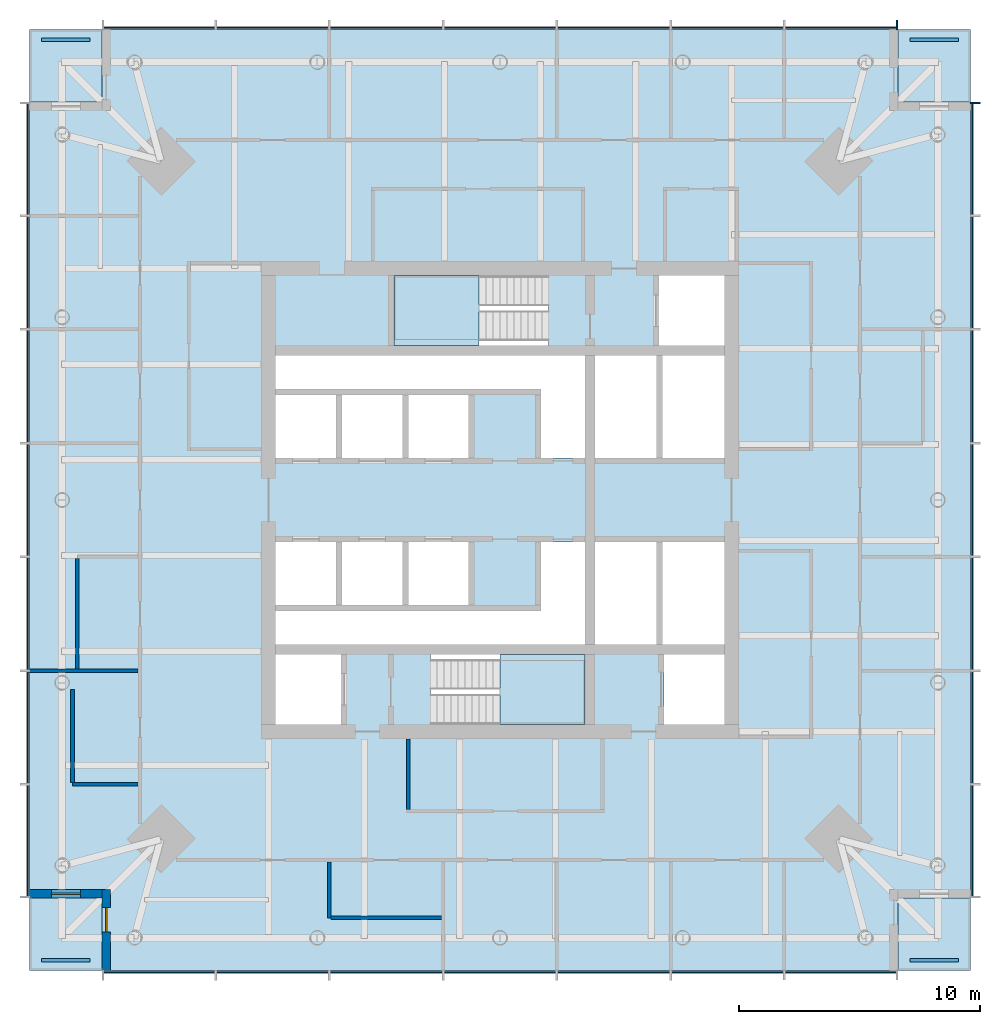
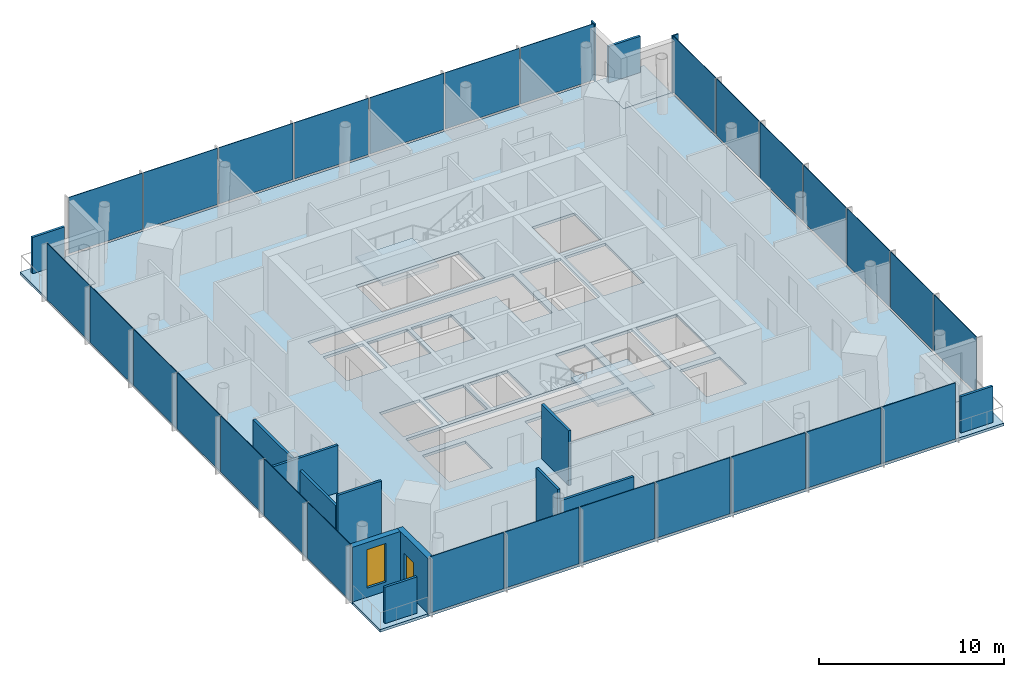
# One storey, part 3 of 7: 32 plates, 9 walls, 7 slabs, 2 members, 1 door, 1 window, 2 openings, 6 elements without a shape of their own.
"""IFC4 building model written with IfcOpenShell, lengths in metres."""

import ifcopenshell
import ifcopenshell.guid

model = None  # the IFC model being written
_history = None  # IfcOwnerHistory: only IFC2X3 demands one
_inside = {}  # id of a spatial element -> (the spatial element, [elements in it])
_under = {}  # id of a project, library or spatial element -> (it, [spatial elements below it])
_declared = {}  # id of a project -> (the project, [libraries it declares])
_typed = {}  # id of a type object -> (the type object, [elements of that type])
_made_of = {}  # id of a material, layer set ... -> (it, [elements and type objects made of it])


def new_model(schema):
    """Start an empty IFC model of exactly this schema.

    Asked for "IFC4X3", IfcOpenShell would pick the latest addendum, in which some entities
    have other attributes; the version numbers below select the first issue.
    IFC2X3 requires an IfcOwnerHistory on every rooted entity: one is made here for all.
    """
    global model, _history
    if schema == "IFC4X3":
        model = ifcopenshell.file(schema_version=(4, 3, 0, 0))
    else:
        model = ifcopenshell.file(schema=schema)
    _inside.clear()
    _under.clear()
    _declared.clear()
    _typed.clear()
    _made_of.clear()
    _history = None
    if model.schema == "IFC2X3":
        org = make("IfcOrganization", Name="unknown")
        user = make(
            "IfcPersonAndOrganization",
            ThePerson=make("IfcPerson", FamilyName="unknown"),
            TheOrganization=org,
        )
        app = make(
            "IfcApplication",
            ApplicationDeveloper=org,
            Version="unknown",
            ApplicationFullName="unknown",
            ApplicationIdentifier="unknown",
        )
        _history = make(
            "IfcOwnerHistory",
            OwningUser=user,
            OwningApplication=app,
            ChangeAction="ADDED",
            CreationDate=0,
        )
    return model


def make(cls, **values):
    """One entity of the class cls with the attributes given. An attribute that is None is left unset."""
    return model.create_entity(
        cls, **{name: value for name, value in values.items() if value is not None}
    )


def rooted(cls, **values):
    """An entity with a GlobalId (a new one), such as an element, a storey or a relation."""
    return make(cls, GlobalId=ifcopenshell.guid.new(), OwnerHistory=_history, **values)


def si_unit(unit_type, name, prefix=None):
    """IfcSIUnit, for example si_unit("LENGTHUNIT", "METRE", prefix="MILLI")."""
    return make("IfcSIUnit", UnitType=unit_type, Prefix=prefix, Name=name)


def assignment(units):
    """IfcUnitAssignment: the units of a project."""
    return None if units is None else make("IfcUnitAssignment", Units=units)


def point(xyz):
    """IfcCartesianPoint."""
    return None if xyz is None else make("IfcCartesianPoint", Coordinates=xyz)


def direction(xyz):
    """IfcDirection."""
    return None if xyz is None else make("IfcDirection", DirectionRatios=xyz)


def frame(location, z_axis=None, x_axis=None):
    """IfcAxis2Placement3D, a coordinate frame: its origin and axes. An axis left out is left unset."""
    return make(
        "IfcAxis2Placement3D",
        Location=point(location),
        Axis=direction(z_axis),
        RefDirection=direction(x_axis),
    )


def frame_2d(location, x_axis=None):
    """IfcAxis2Placement2D, a coordinate frame in the plane: its origin and x axis."""
    return make(
        "IfcAxis2Placement2D", Location=point(location), RefDirection=direction(x_axis)
    )


def origin():
    """The frame at (0, 0, 0) with its axes left unset."""
    return frame((0.0, 0.0, 0.0))


def origin_2d():
    """The frame at (0, 0) in the plane with its x axis left unset."""
    return frame_2d((0.0, 0.0))


def place(relative_to, where):
    """IfcLocalPlacement: puts the frame where relative to a parent placement (None: the world)."""
    return make(
        "IfcLocalPlacement", PlacementRelTo=relative_to, RelativePlacement=where
    )


def context(
    kind, dimensions, precision=None, world=None, true_north=None, identifier=None
):
    """IfcGeometricRepresentationContext, for example the 3D "Model" context."""
    return make(
        "IfcGeometricRepresentationContext",
        ContextIdentifier=identifier,
        ContextType=kind,
        CoordinateSpaceDimension=dimensions,
        Precision=precision,
        WorldCoordinateSystem=world,
        TrueNorth=true_north,
    )


def subcontext(parent, identifier, kind, view, scale=None):
    """IfcGeometricRepresentationSubContext, for example "Body" below "Model"."""
    return make(
        "IfcGeometricRepresentationSubContext",
        ContextIdentifier=identifier,
        ContextType=kind,
        ParentContext=parent,
        TargetScale=scale,
        TargetView=view,
    )


def project(units=None, contexts=None):
    """IfcProject with its units and contexts."""
    return rooted(
        "IfcProject",
        Name="project",
        RepresentationContexts=contexts,
        UnitsInContext=assignment(units),
    )


def spatial(cls, under=None, at=None, **own):
    """A site, building, storey or space (cls), placed at a placement, below another one or the project."""
    s = rooted(cls, ObjectPlacement=at, **own)
    if under is not None:
        _under.setdefault(under.id(), (under, []))[1].append(s)
    return s


def polyline(points):
    """IfcPolyline through the points."""
    return make("IfcPolyline", Points=[point(p) for p in points])


def profile(cls, at=None, kind="AREA", **sizes):
    """A parametric profile (cls). Its sizes go by their IFC names, for example OverallWidth=200.0."""
    return make(cls, ProfileType=kind, Position=at, **sizes)


def rectangle(**sizes):
    """IfcRectangleProfileDef."""
    return profile("IfcRectangleProfileDef", **sizes)


def outline(outer, holes=None, kind="AREA"):
    """IfcArbitraryClosedProfileDef: a profile drawn as a closed curve; with holes, ...WithVoids."""
    if holes is None:
        return make("IfcArbitraryClosedProfileDef", ProfileType=kind, OuterCurve=outer)
    return make(
        "IfcArbitraryProfileDefWithVoids",
        ProfileType=kind,
        OuterCurve=outer,
        InnerCurves=holes,
    )


def extrude(swept, where, along, depth):
    """IfcExtrudedAreaSolid: the profile swept, set in the frame where, extruded along a direction by depth."""
    return make(
        "IfcExtrudedAreaSolid",
        SweptArea=swept,
        Position=where,
        ExtrudedDirection=direction(along),
        Depth=depth,
    )


def shape(context_of_items, identifier, shape_type, items):
    """IfcShapeRepresentation: the items that make up one representation, for example the "Body"."""
    return make(
        "IfcShapeRepresentation",
        ContextOfItems=context_of_items,
        RepresentationIdentifier=identifier,
        RepresentationType=shape_type,
        Items=items,
    )


def material(Name=None, Category=None):
    """IfcMaterial."""
    return make("IfcMaterial", Name=Name, Category=Category)


def layer(
    of_material, thickness, ventilated=None, Name=None, Category=None, Priority=None
):
    """IfcMaterialLayer: one layer of a wall or slab, of a material (None: an air gap)."""
    return make(
        "IfcMaterialLayer",
        Material=of_material,
        LayerThickness=thickness,
        IsVentilated=ventilated,
        Name=Name,
        Category=Category,
        Priority=Priority,
    )


def layer_set(layers, Name=None):
    """IfcMaterialLayerSet."""
    return make("IfcMaterialLayerSet", MaterialLayers=layers, LayerSetName=Name)


def material_profile(
    of_material, cross_section, Name=None, Category=None, Priority=None
):
    """IfcMaterialProfile: a cross section and its material."""
    return make(
        "IfcMaterialProfile",
        Name=Name,
        Material=of_material,
        Profile=cross_section,
        Priority=Priority,
        Category=Category,
    )


def profile_set(profiles, Name=None, composite=None):
    """IfcMaterialProfileSet."""
    return make(
        "IfcMaterialProfileSet",
        Name=Name,
        MaterialProfiles=profiles,
        CompositeProfile=composite,
    )


def made_of(thing, what):
    """Note that an element or type object is made of a material, layer set ...; save() writes the relation."""
    if what is not None:
        _made_of.setdefault(what.id(), (what, []))[1].append(thing)
    return thing


def type_object(cls, material=None, **own):
    """A type object (cls), such as IfcWallType, which elements share."""
    return made_of(rooted(cls, **own), material)


def element(
    cls,
    number,
    at=None,
    inside=None,
    cuts=None,
    type_object=None,
    material=None,
    context=None,
    identifier="Body",
    shape_type=None,
    held_by="IfcProductDefinitionShape",
    body=None,
    shapes=None,
    **own,
):
    """One element of the class cls, such as IfcWall. Its Tag is "e" and its number.

    at: its placement. inside: the storey or other place that contains it. cuts: it is an
    opening in that element (IfcRelVoidsElement). A single representation is given by context,
    identifier, shape_type and body (its items); several are given by shapes. held_by: the class
    of the entity that holds the representations. save() writes the other relations.
    """
    e = rooted(cls, Tag="e%d" % number, ObjectPlacement=at, **own)
    if body is not None:
        shapes = [shape(context, identifier, shape_type, body)]
    if shapes is not None:
        e.Representation = make(held_by, Representations=shapes)
    if inside is not None:
        _inside.setdefault(inside.id(), (inside, []))[1].append(e)
    if cuts is not None:
        rooted(
            "IfcRelVoidsElement", RelatingBuildingElement=cuts, RelatedOpeningElement=e
        )
    if type_object is not None:
        _typed.setdefault(type_object.id(), (type_object, []))[1].append(e)
    return made_of(e, material)


def fill(opening, filler):
    """IfcRelFillsElement: the door or window that sits in an opening."""
    return rooted(
        "IfcRelFillsElement",
        RelatingOpeningElement=opening,
        RelatedBuildingElement=filler,
    )


def aggregate(whole, parts):
    """IfcRelAggregates: a whole, such as a stair, and the parts it consists of."""
    return rooted("IfcRelAggregates", RelatingObject=whole, RelatedObjects=parts)


def save(model, path):
    """Write the relations noted so far, then the file.

    IfcRelAggregates (storeys below a building ...), IfcRelContainedInSpatialStructure (elements
    in a storey), IfcRelDefinesByType, IfcRelAssociatesMaterial and IfcRelDeclares: one each for
    every whole, place, type object, material and project.
    """
    for whole, parts in _under.values():
        aggregate(whole, parts)
    for where, things in _inside.values():
        rooted(
            "IfcRelContainedInSpatialStructure",
            RelatedElements=things,
            RelatingStructure=where,
        )
    for kind, things in _typed.values():
        rooted("IfcRelDefinesByType", RelatedObjects=things, RelatingType=kind)
    for what, things in _made_of.values():
        rooted("IfcRelAssociatesMaterial", RelatedObjects=things, RelatingMaterial=what)
    for by, libraries in _declared.values():
        rooted("IfcRelDeclares", RelatingContext=by, RelatedDefinitions=libraries)
    model.write(path)


model = new_model("IFC4")

# Units and contexts
model_context = context("Model", 3, precision=1e-05, world=origin(), true_north=direction((0.0, 1.0)))
body_context = subcontext(model_context, "Body", "Model", "MODEL_VIEW")
ifc_project = project(units=[si_unit("LENGTHUNIT", "METRE"), si_unit("AREAUNIT", "SQUARE_METRE"), si_unit("VOLUMEUNIT", "CUBIC_METRE"), si_unit("PLANEANGLEUNIT", "RADIAN"), si_unit("MASSUNIT", "GRAM", prefix="KILO")], contexts=[model_context])

# Site, building, storey
site_placement = place(None, origin())
site = spatial("IfcSite", under=ifc_project, at=site_placement, CompositionType="ELEMENT")
building_placement = place(site_placement, origin())
building = spatial("IfcBuilding", under=site, at=building_placement, Name="Ostroluk Exchange", CompositionType="ELEMENT")
storey_placement = place(building_placement, frame((0.0, 0.0, 203.39990234375)))
storey = spatial("IfcBuildingStorey", under=building, at=storey_placement, Name="L52", CompositionType="ELEMENT", Elevation=203.39990234375)

# Curtain wall, member
ifc_material_1 = material(Name="Laminated clear glass", Category="glass")
curtain_wall_type = type_object("IfcCurtainWallType", Name="Office tower facade", PredefinedType="USERDEFINED", material=ifc_material_1)
curtain_wall_1_placement = place(storey_placement, origin())
curtain_wall_1 = element("IfcCurtainWall", 1, at=curtain_wall_1_placement, inside=storey, type_object=curtain_wall_type, Name="Office tower east facade L52", ObjectType="UNITISED CURTAIN WALL", PredefinedType="USERDEFINED")
ifc_material_2 = material(Name="Aluminium mullion with limestone facing", Category="masonry")
ifc_material_profile = material_profile(ifc_material_2, rectangle(XDim=0.39990234375, YDim=0.080078125, at=origin_2d()), Name="Tracery mullion 80 x 400")
ifc_profile_set = profile_set([ifc_material_profile], Name="Aluminium mullion with limestone facing")
member_type = type_object("IfcMemberType", Name="Tracery mullion 80 x 400", PredefinedType="MULLION", material=ifc_profile_set)
member_1_placement = place(storey_placement, frame((64.699951171875, 62.4599609375, 0.0), z_axis=(0.0, 0.0, 1.0), x_axis=(-1.0, 0.0, 0.0)))
member_1 = element("IfcMember", 2, at=member_1_placement, type_object=member_type, Name="CW-O1 mullion 8", PredefinedType="MULLION", context=body_context, shape_type="SweptSolid", body=[
    extrude(rectangle(XDim=0.39990234375, YDim=0.080078125, at=origin_2d()), origin(), (0.0, 0.0, 1.0), 3.800048828125),
])

curtain_wall_2_placement = place(storey_placement, origin())
curtain_wall_2 = element("IfcCurtainWall", 3, at=curtain_wall_2_placement, inside=storey, type_object=curtain_wall_type, Name="Office tower north facade L52", ObjectType="UNITISED CURTAIN WALL", PredefinedType="USERDEFINED")
member_2_placement = place(storey_placement, frame((61.4599609375, 65.699951171875, 0.0), z_axis=(0.0, 0.0, 1.0), x_axis=(0.0, -1.0, 0.0)))
member_2 = element("IfcMember", 4, at=member_2_placement, type_object=member_type, Name="CW-O1 mullion 1", PredefinedType="MULLION", context=body_context, shape_type="SweptSolid", body=[
    extrude(rectangle(XDim=0.39990234375, YDim=0.080078125, at=origin_2d()), origin(), (0.0, 0.0, 1.0), 3.800048828125),
])

# Slabs
ifc_material_3 = material(Name="Concrete C35/45", Category="concrete")
ifc_layer_1 = layer(ifc_material_3, 0.179931640625)
ifc_layer_set_1 = layer_set([ifc_layer_1], Name="Balcony slab 180")
slab_type_1 = type_object("IfcSlabType", Name="Balcony slab 180", PredefinedType="USERDEFINED", material=ifc_layer_set_1)
slab_1_placement = place(storey_placement, frame((0.0, 0.0, -0.179931640625)))
element("IfcSlab", 5, at=slab_1_placement, inside=storey, type_object=slab_type_1, Name="Office tower SE corner balcony L52", ObjectType="BALCONY", PredefinedType="USERDEFINED", context=body_context, shape_type="SweptSolid", body=[
    extrude(outline(polyline([(61.5, 26.5), (64.5, 26.5), (64.5, 29.5), (61.5, 29.5), (61.5, 26.5)])), origin(), (0.0, 0.0, 1.0), 0.179931640625),
])
slab_2_placement = place(storey_placement, frame((0.0, 0.0, -0.179931640625)))
element("IfcSlab", 6, at=slab_2_placement, inside=storey, type_object=slab_type_1, Name="Office tower NE corner balcony L52", ObjectType="BALCONY", PredefinedType="USERDEFINED", context=body_context, shape_type="SweptSolid", body=[
    extrude(outline(polyline([(61.5, 62.5), (64.5, 62.5), (64.5, 65.5), (61.5, 65.5), (61.5, 62.5)])), origin(), (0.0, 0.0, 1.0), 0.179931640625),
])
slab_3_placement = place(storey_placement, frame((0.0, 0.0, -0.179931640625)))
element("IfcSlab", 7, at=slab_3_placement, inside=storey, type_object=slab_type_1, Name="Office tower NW corner balcony L52", ObjectType="BALCONY", PredefinedType="USERDEFINED", context=body_context, shape_type="SweptSolid", body=[
    extrude(outline(polyline([(25.5, 62.5), (28.5, 62.5), (28.5, 65.5), (25.5, 65.5), (25.5, 62.5)])), origin(), (0.0, 0.0, 1.0), 0.179931640625),
])
slab_4_placement = place(storey_placement, frame((0.0, 0.0, -0.179931640625)))
element("IfcSlab", 8, at=slab_4_placement, inside=storey, type_object=slab_type_1, Name="Office tower SW corner balcony L52", ObjectType="BALCONY", PredefinedType="USERDEFINED", context=body_context, shape_type="SweptSolid", body=[
    extrude(outline(polyline([(25.5, 26.5), (28.5, 26.5), (28.5, 29.5), (25.5, 29.5), (25.5, 26.5)])), origin(), (0.0, 0.0, 1.0), 0.179931640625),
])

# Plates
ifc_material_4 = material(Name="Steel S355 trellis with planting", Category="steel")
ifc_layer_2 = layer(ifc_material_4, 0.14990234375)
ifc_layer_set_2 = layer_set([ifc_layer_2], Name="Planted screen 150")
plate_type_1 = type_object("IfcPlateType", Name="Planted screen 150", PredefinedType="USERDEFINED", material=ifc_layer_set_2)
for number, where, z_axis, x_axis, name in (
    (9, (63.0, 26.925048828125, 0.000244140625), (0.0, 0.0, 1.0), (1.0, 0.0, 0.0), "Office tower SE planted screen L52"),
    (10, (63.0, 65.074951171875, 0.000244140625), (0.0, 0.0, 1.0), (1.0, 0.0, 0.0), "Office tower NE planted screen L52"),
    (11, (27.0, 65.074951171875, 0.000244140625), (0.0, 0.0, 1.0), (1.0, 0.0, 0.0), "Office tower NW planted screen L52"),
    (12, (27.0, 26.925048828125, 0.000244140625), (0.0, 0.0, 1.0), (1.0, 0.0, 0.0), "Office tower SW planted screen L52"),
):
    element("IfcPlate", number, at=place(storey_placement, frame(where, z_axis=z_axis, x_axis=x_axis)), inside=storey, type_object=plate_type_1, Name=name, ObjectType="PLANTED SCREEN", PredefinedType="USERDEFINED", context=body_context, shape_type="SweptSolid", body=[
        extrude(rectangle(XDim=2.0, YDim=0.14990234375, at=origin_2d()), origin(), (0.0, 0.0, 1.0), 2.39990234375),
    ])

# Stair, slab
ifc_material_5 = material(Name="Concrete C30/37", Category="concrete")
stair_type = type_object("IfcStairType", Name="Exit stair half turn 3800", PredefinedType="HALF_TURN_STAIR", material=ifc_material_5)
stair_1_placement = place(storey_placement, origin())
stair_1 = element("IfcStair", 13, at=stair_1_placement, inside=storey, type_object=stair_type, Name="Stair T1-S1 L52", PredefinedType="HALF_TURN_STAIR")
ifc_material_6 = material(Name="Concrete C30/37", Category="concrete")
ifc_layer_3 = layer(ifc_material_6, 0.199951171875)
ifc_layer_set_3 = layer_set([ifc_layer_3], Name="Stair landing 200")
slab_type_2 = type_object("IfcSlabType", Name="Stair landing 200", PredefinedType="LANDING", material=ifc_layer_set_3)
slab_5_placement = place(storey_placement, frame((0.0, 0.0, 1.7001953125)))
slab_5 = element("IfcSlab", 14, at=slab_5_placement, type_object=slab_type_2, Name="T1-S1 landing 1", PredefinedType="LANDING", context=body_context, shape_type="SweptSolid", body=[
    extrude(outline(polyline([(45.0, 36.699951171875), (45.0, 39.60009765625), (48.530029296875, 39.60009765625), (48.530029296875, 36.699951171875), (45.0, 36.699951171875)])), origin(), (0.0, 0.0, 1.0), 0.199951171875),
])
aggregate(stair_1, [slab_5])

stair_2_placement = place(storey_placement, origin())
stair_2 = element("IfcStair", 15, at=stair_2_placement, inside=storey, type_object=stair_type, Name="Stair T1-S2 L52", PredefinedType="HALF_TURN_STAIR")
slab_6_placement = place(storey_placement, frame((0.0, 0.0, 1.7001953125)))
slab_6 = element("IfcSlab", 16, at=slab_6_placement, type_object=slab_type_2, Name="T1-S2 landing 1", PredefinedType="LANDING", context=body_context, shape_type="SweptSolid", body=[
    extrude(outline(polyline([(44.1298828125, 52.39990234375), (44.1298828125, 55.300048828125), (40.60009765625, 55.300048828125), (40.60009765625, 52.39990234375), (44.1298828125, 52.39990234375)])), origin(), (0.0, 0.0, 1.0), 0.199951171875),
])
aggregate(stair_2, [slab_6])

# Slab
ifc_material_7 = material(Name="Concrete C35/45", Category="concrete")
ifc_layer_4 = layer(ifc_material_7, 0.179931640625)
ifc_layer_set_4 = layer_set([ifc_layer_4], Name="Tower floor slab 180 composite")
slab_type_3 = type_object("IfcSlabType", Name="Tower floor slab 180 composite", PredefinedType="FLOOR", material=ifc_layer_set_4)
slab_7_placement = place(storey_placement, frame((0.0, 0.0, -0.179931640625)))
element("IfcSlab", 17, at=slab_7_placement, inside=storey, type_object=slab_type_3, Name="Office tower floor slab L52", PredefinedType="FLOOR", context=body_context, shape_type="SweptSolid", body=[
    extrude(outline(polyline([(28.5, 26.5), (61.5, 26.5), (61.5, 29.5), (64.5, 29.5), (64.5, 62.5), (61.5, 62.5), (61.5, 65.5), (28.5, 65.5), (28.5, 62.5), (25.5, 62.5), (25.5, 29.5), (28.5, 29.5), (28.5, 26.5)]), holes=[polyline([(35.699951171875, 36.699951171875), (38.39990234375, 36.699951171875), (38.39990234375, 39.60009765625), (35.699951171875, 39.60009765625), (35.699951171875, 36.699951171875)]), polyline([(42.110107421875, 36.699951171875), (48.530029296875, 36.699951171875), (48.530029296875, 39.60009765625), (42.110107421875, 39.60009765625), (42.110107421875, 36.699951171875)]), polyline([(51.800048828125, 36.699951171875), (54.300048828125, 36.699951171875), (54.300048828125, 39.60009765625), (51.800048828125, 39.60009765625), (51.800048828125, 36.699951171875)]), polyline([(40.60009765625, 52.39990234375), (47.02001953125, 52.39990234375), (47.02001953125, 55.300048828125), (40.60009765625, 55.300048828125), (40.60009765625, 52.39990234375)]), polyline([(51.60009765625, 52.39990234375), (54.300048828125, 52.39990234375), (54.300048828125, 55.300048828125), (51.60009765625, 55.300048828125), (51.60009765625, 52.39990234375)]), polyline([(35.699951171875, 47.75), (38.199951171875, 47.75), (38.199951171875, 50.35009765625), (35.699951171875, 50.35009765625), (35.699951171875, 47.75)]), polyline([(38.449951171875, 47.75), (40.949951171875, 47.75), (40.949951171875, 50.35009765625), (38.449951171875, 50.35009765625), (38.449951171875, 47.75)]), polyline([(41.199951171875, 47.75), (43.699951171875, 47.75), (43.699951171875, 50.35009765625), (41.199951171875, 50.35009765625), (41.199951171875, 47.75)]), polyline([(35.699951171875, 41.64990234375), (38.199951171875, 41.64990234375), (38.199951171875, 44.25), (35.699951171875, 44.25), (35.699951171875, 41.64990234375)]), polyline([(38.449951171875, 41.64990234375), (40.949951171875, 41.64990234375), (40.949951171875, 44.25), (38.449951171875, 44.25), (38.449951171875, 41.64990234375)]), polyline([(41.199951171875, 41.64990234375), (43.699951171875, 41.64990234375), (43.699951171875, 44.25), (41.199951171875, 44.25), (41.199951171875, 41.64990234375)]), polyline([(48.929931640625, 47.75), (51.489990234375, 47.75), (51.489990234375, 52.0), (48.929931640625, 52.0), (48.929931640625, 47.75)]), polyline([(51.739990234375, 47.75), (54.300048828125, 47.75), (54.300048828125, 52.0), (51.739990234375, 52.0), (51.739990234375, 47.75)]), polyline([(48.929931640625, 40.0), (51.489990234375, 40.0), (51.489990234375, 44.25), (48.929931640625, 44.25), (48.929931640625, 40.0)]), polyline([(51.739990234375, 40.0), (54.300048828125, 40.0), (54.300048828125, 44.25), (51.739990234375, 44.25), (51.739990234375, 40.0)]), polyline([(48.530029296875, 52.0), (48.530029296875, 47.75), (46.699951171875, 47.75), (46.699951171875, 50.60009765625), (35.699951171875, 50.60009765625), (35.699951171875, 52.0), (48.530029296875, 52.0)]), polyline([(35.699951171875, 40.0), (35.699951171875, 41.39990234375), (46.699951171875, 41.39990234375), (46.699951171875, 44.25), (48.530029296875, 44.25), (48.530029296875, 40.0), (35.699951171875, 40.0)])]), origin(), (0.0, 0.0, 1.0), 0.179931640625),
])

# Curtain wall, plates
curtain_wall_3_placement = place(storey_placement, origin())
curtain_wall_3 = element("IfcCurtainWall", 18, at=curtain_wall_3_placement, inside=storey, type_object=curtain_wall_type, Name="Office tower south facade L52", ObjectType="UNITISED CURTAIN WALL", PredefinedType="USERDEFINED")
ifc_material_8 = material(Name="Laminated clear glass", Category="glass")
ifc_layer_5 = layer(ifc_material_8, 0.0439453125)
ifc_layer_set_5 = layer_set([ifc_layer_5], Name="Triple laminated clear glazing 44")
plate_type_2 = type_object("IfcPlateType", Name="Triple laminated clear glazing 44", PredefinedType="CURTAIN_PANEL", material=ifc_layer_set_5)
plate_1_placement = place(storey_placement, frame((30.877197265625, 26.425048828125, 0.080078125), z_axis=(0.0, 0.0, 1.0), x_axis=(1.0, 0.0, 0.0)))
plate_1 = element("IfcPlate", 19, at=plate_1_placement, type_object=plate_type_2, Name="CW-O1 panel 1.1", PredefinedType="CURTAIN_PANEL", context=body_context, shape_type="SweptSolid", body=[
    extrude(rectangle(XDim=4.59423828125, YDim=0.0439453125, at=origin_2d()), origin(), (0.0, 0.0, 1.0), 3.719970703125),
])
plate_2_placement = place(storey_placement, frame((35.571533203125, 26.425048828125, 0.080078125), z_axis=(0.0, 0.0, 1.0), x_axis=(1.0, 0.0, 0.0)))
plate_2 = element("IfcPlate", 20, at=plate_2_placement, type_object=plate_type_2, Name="CW-O1 panel 2.1", PredefinedType="CURTAIN_PANEL", context=body_context, shape_type="SweptSolid", body=[
    extrude(rectangle(XDim=4.63427734375, YDim=0.0439453125, at=origin_2d()), origin(), (0.0, 0.0, 1.0), 3.719970703125),
])
plate_3_placement = place(storey_placement, frame((40.28564453125, 26.425048828125, 0.080078125), z_axis=(0.0, 0.0, 1.0), x_axis=(1.0, 0.0, 0.0)))
plate_3 = element("IfcPlate", 21, at=plate_3_placement, type_object=plate_type_2, Name="CW-O1 panel 3.1", PredefinedType="CURTAIN_PANEL", context=body_context, shape_type="SweptSolid", body=[
    extrude(rectangle(XDim=4.63427734375, YDim=0.0439453125, at=origin_2d()), origin(), (0.0, 0.0, 1.0), 3.719970703125),
])
plate_4_placement = place(storey_placement, frame((45.0, 26.425048828125, 0.080078125), z_axis=(0.0, 0.0, 1.0), x_axis=(1.0, 0.0, 0.0)))
plate_4 = element("IfcPlate", 22, at=plate_4_placement, type_object=plate_type_2, Name="CW-O1 panel 4.1", PredefinedType="CURTAIN_PANEL", context=body_context, shape_type="SweptSolid", body=[
    extrude(rectangle(XDim=4.63427734375, YDim=0.0439453125, at=origin_2d()), origin(), (0.0, 0.0, 1.0), 3.719970703125),
])
plate_5_placement = place(storey_placement, frame((49.71435546875, 26.425048828125, 0.080078125), z_axis=(0.0, 0.0, 1.0), x_axis=(1.0, 0.0, 0.0)))
plate_5 = element("IfcPlate", 23, at=plate_5_placement, type_object=plate_type_2, Name="CW-O1 panel 5.1", PredefinedType="CURTAIN_PANEL", context=body_context, shape_type="SweptSolid", body=[
    extrude(rectangle(XDim=4.63427734375, YDim=0.0439453125, at=origin_2d()), origin(), (0.0, 0.0, 1.0), 3.719970703125),
])
plate_6_placement = place(storey_placement, frame((54.428466796875, 26.425048828125, 0.080078125), z_axis=(0.0, 0.0, 1.0), x_axis=(1.0, 0.0, 0.0)))
plate_6 = element("IfcPlate", 24, at=plate_6_placement, type_object=plate_type_2, Name="CW-O1 panel 6.1", PredefinedType="CURTAIN_PANEL", context=body_context, shape_type="SweptSolid", body=[
    extrude(rectangle(XDim=4.63427734375, YDim=0.0439453125, at=origin_2d()), origin(), (0.0, 0.0, 1.0), 3.719970703125),
])
plate_7_placement = place(storey_placement, frame((59.122802734375, 26.425048828125, 0.080078125), z_axis=(0.0, 0.0, 1.0), x_axis=(1.0, 0.0, 0.0)))
plate_7 = element("IfcPlate", 25, at=plate_7_placement, type_object=plate_type_2, Name="CW-O1 panel 7.1", PredefinedType="CURTAIN_PANEL", context=body_context, shape_type="SweptSolid", body=[
    extrude(rectangle(XDim=4.59423828125, YDim=0.0439453125, at=origin_2d()), origin(), (0.0, 0.0, 1.0), 3.719970703125),
])
aggregate(curtain_wall_3, [plate_1, plate_2, plate_3, plate_4, plate_5, plate_6, plate_7])

# Plate
plate_8_placement = place(storey_placement, frame((64.574951171875, 31.877197265625, 0.080078125), z_axis=(0.0, 0.0, 1.0), x_axis=(0.0, 1.0, 0.0)))
plate_8 = element("IfcPlate", 26, at=plate_8_placement, type_object=plate_type_2, Name="CW-O1 panel 1.1", PredefinedType="CURTAIN_PANEL", context=body_context, shape_type="SweptSolid", body=[
    extrude(rectangle(XDim=4.59423828125, YDim=0.0439453125, at=origin_2d()), origin(), (0.0, 0.0, 1.0), 3.719970703125),
])

plate_9_placement = place(storey_placement, frame((64.574951171875, 36.571533203125, 0.080078125), z_axis=(0.0, 0.0, 1.0), x_axis=(0.0, 1.0, 0.0)))
plate_9 = element("IfcPlate", 27, at=plate_9_placement, type_object=plate_type_2, Name="CW-O1 panel 2.1", PredefinedType="CURTAIN_PANEL", context=body_context, shape_type="SweptSolid", body=[
    extrude(rectangle(XDim=4.63427734375, YDim=0.0439453125, at=origin_2d()), origin(), (0.0, 0.0, 1.0), 3.719970703125),
])

plate_10_placement = place(storey_placement, frame((64.574951171875, 41.28564453125, 0.080078125), z_axis=(0.0, 0.0, 1.0), x_axis=(0.0, 1.0, 0.0)))
plate_10 = element("IfcPlate", 28, at=plate_10_placement, type_object=plate_type_2, Name="CW-O1 panel 3.1", PredefinedType="CURTAIN_PANEL", context=body_context, shape_type="SweptSolid", body=[
    extrude(rectangle(XDim=4.63427734375, YDim=0.0439453125, at=origin_2d()), origin(), (0.0, 0.0, 1.0), 3.719970703125),
])

plate_11_placement = place(storey_placement, frame((64.574951171875, 46.0, 0.080078125), z_axis=(0.0, 0.0, 1.0), x_axis=(0.0, 1.0, 0.0)))
plate_11 = element("IfcPlate", 29, at=plate_11_placement, type_object=plate_type_2, Name="CW-O1 panel 4.1", PredefinedType="CURTAIN_PANEL", context=body_context, shape_type="SweptSolid", body=[
    extrude(rectangle(XDim=4.63427734375, YDim=0.0439453125, at=origin_2d()), origin(), (0.0, 0.0, 1.0), 3.719970703125),
])

plate_12_placement = place(storey_placement, frame((64.574951171875, 50.71435546875, 0.080078125), z_axis=(0.0, 0.0, 1.0), x_axis=(0.0, 1.0, 0.0)))
plate_12 = element("IfcPlate", 30, at=plate_12_placement, type_object=plate_type_2, Name="CW-O1 panel 5.1", PredefinedType="CURTAIN_PANEL", context=body_context, shape_type="SweptSolid", body=[
    extrude(rectangle(XDim=4.63427734375, YDim=0.0439453125, at=origin_2d()), origin(), (0.0, 0.0, 1.0), 3.719970703125),
])

plate_13_placement = place(storey_placement, frame((64.574951171875, 55.428466796875, 0.080078125), z_axis=(0.0, 0.0, 1.0), x_axis=(0.0, 1.0, 0.0)))
plate_13 = element("IfcPlate", 31, at=plate_13_placement, type_object=plate_type_2, Name="CW-O1 panel 6.1", PredefinedType="CURTAIN_PANEL", context=body_context, shape_type="SweptSolid", body=[
    extrude(rectangle(XDim=4.63427734375, YDim=0.0439453125, at=origin_2d()), origin(), (0.0, 0.0, 1.0), 3.719970703125),
])

plate_14_placement = place(storey_placement, frame((64.574951171875, 60.122802734375, 0.080078125), z_axis=(0.0, 0.0, 1.0), x_axis=(0.0, 1.0, 0.0)))
plate_14 = element("IfcPlate", 32, at=plate_14_placement, type_object=plate_type_2, Name="CW-O1 panel 7.1", PredefinedType="CURTAIN_PANEL", context=body_context, shape_type="SweptSolid", body=[
    extrude(rectangle(XDim=4.59423828125, YDim=0.0439453125, at=origin_2d()), origin(), (0.0, 0.0, 1.0), 3.719970703125),
])

aggregate(curtain_wall_1, [member_1, plate_8, plate_9, plate_10, plate_11, plate_12, plate_13, plate_14])

plate_15_placement = place(storey_placement, frame((59.122802734375, 65.574951171875, 0.080078125), z_axis=(0.0, 0.0, 1.0), x_axis=(-1.0, 0.0, 0.0)))
plate_15 = element("IfcPlate", 33, at=plate_15_placement, type_object=plate_type_2, Name="CW-O1 panel 1.1", PredefinedType="CURTAIN_PANEL", context=body_context, shape_type="SweptSolid", body=[
    extrude(rectangle(XDim=4.59423828125, YDim=0.0439453125, at=origin_2d()), origin(), (0.0, 0.0, 1.0), 3.719970703125),
])

plate_16_placement = place(storey_placement, frame((54.428466796875, 65.574951171875, 0.080078125), z_axis=(0.0, 0.0, 1.0), x_axis=(-1.0, 0.0, 0.0)))
plate_16 = element("IfcPlate", 34, at=plate_16_placement, type_object=plate_type_2, Name="CW-O1 panel 2.1", PredefinedType="CURTAIN_PANEL", context=body_context, shape_type="SweptSolid", body=[
    extrude(rectangle(XDim=4.63427734375, YDim=0.0439453125, at=origin_2d()), origin(), (0.0, 0.0, 1.0), 3.719970703125),
])

plate_17_placement = place(storey_placement, frame((49.71435546875, 65.574951171875, 0.080078125), z_axis=(0.0, 0.0, 1.0), x_axis=(-1.0, 0.0, 0.0)))
plate_17 = element("IfcPlate", 35, at=plate_17_placement, type_object=plate_type_2, Name="CW-O1 panel 3.1", PredefinedType="CURTAIN_PANEL", context=body_context, shape_type="SweptSolid", body=[
    extrude(rectangle(XDim=4.63427734375, YDim=0.0439453125, at=origin_2d()), origin(), (0.0, 0.0, 1.0), 3.719970703125),
])

plate_18_placement = place(storey_placement, frame((45.0, 65.574951171875, 0.080078125), z_axis=(0.0, 0.0, 1.0), x_axis=(-1.0, 0.0, 0.0)))
plate_18 = element("IfcPlate", 36, at=plate_18_placement, type_object=plate_type_2, Name="CW-O1 panel 4.1", PredefinedType="CURTAIN_PANEL", context=body_context, shape_type="SweptSolid", body=[
    extrude(rectangle(XDim=4.63427734375, YDim=0.0439453125, at=origin_2d()), origin(), (0.0, 0.0, 1.0), 3.719970703125),
])

plate_19_placement = place(storey_placement, frame((40.28564453125, 65.574951171875, 0.080078125), z_axis=(0.0, 0.0, 1.0), x_axis=(-1.0, 0.0, 0.0)))
plate_19 = element("IfcPlate", 37, at=plate_19_placement, type_object=plate_type_2, Name="CW-O1 panel 5.1", PredefinedType="CURTAIN_PANEL", context=body_context, shape_type="SweptSolid", body=[
    extrude(rectangle(XDim=4.63427734375, YDim=0.0439453125, at=origin_2d()), origin(), (0.0, 0.0, 1.0), 3.719970703125),
])

plate_20_placement = place(storey_placement, frame((35.571533203125, 65.574951171875, 0.080078125), z_axis=(0.0, 0.0, 1.0), x_axis=(-1.0, 0.0, 0.0)))
plate_20 = element("IfcPlate", 38, at=plate_20_placement, type_object=plate_type_2, Name="CW-O1 panel 6.1", PredefinedType="CURTAIN_PANEL", context=body_context, shape_type="SweptSolid", body=[
    extrude(rectangle(XDim=4.63427734375, YDim=0.0439453125, at=origin_2d()), origin(), (0.0, 0.0, 1.0), 3.719970703125),
])

plate_21_placement = place(storey_placement, frame((30.877197265625, 65.574951171875, 0.080078125), z_axis=(0.0, 0.0, 1.0), x_axis=(-1.0, 0.0, 0.0)))
plate_21 = element("IfcPlate", 39, at=plate_21_placement, type_object=plate_type_2, Name="CW-O1 panel 7.1", PredefinedType="CURTAIN_PANEL", context=body_context, shape_type="SweptSolid", body=[
    extrude(rectangle(XDim=4.59423828125, YDim=0.0439453125, at=origin_2d()), origin(), (0.0, 0.0, 1.0), 3.719970703125),
])

aggregate(curtain_wall_2, [member_2, plate_15, plate_16, plate_17, plate_18, plate_19, plate_20, plate_21])

# Curtain wall, plates
curtain_wall_4_placement = place(storey_placement, origin())
curtain_wall_4 = element("IfcCurtainWall", 40, at=curtain_wall_4_placement, inside=storey, type_object=curtain_wall_type, Name="Office tower west facade L52", ObjectType="UNITISED CURTAIN WALL", PredefinedType="USERDEFINED")
plate_22_placement = place(storey_placement, frame((25.425048828125, 60.122802734375, 0.080078125), z_axis=(0.0, 0.0, 1.0), x_axis=(0.0, -1.0, 0.0)))
plate_22 = element("IfcPlate", 41, at=plate_22_placement, type_object=plate_type_2, Name="CW-O1 panel 1.1", PredefinedType="CURTAIN_PANEL", context=body_context, shape_type="SweptSolid", body=[
    extrude(rectangle(XDim=4.59423828125, YDim=0.0439453125, at=origin_2d()), origin(), (0.0, 0.0, 1.0), 3.719970703125),
])
plate_23_placement = place(storey_placement, frame((25.425048828125, 55.428466796875, 0.080078125), z_axis=(0.0, 0.0, 1.0), x_axis=(0.0, -1.0, 0.0)))
plate_23 = element("IfcPlate", 42, at=plate_23_placement, type_object=plate_type_2, Name="CW-O1 panel 2.1", PredefinedType="CURTAIN_PANEL", context=body_context, shape_type="SweptSolid", body=[
    extrude(rectangle(XDim=4.63427734375, YDim=0.0439453125, at=origin_2d()), origin(), (0.0, 0.0, 1.0), 3.719970703125),
])
plate_24_placement = place(storey_placement, frame((25.425048828125, 50.71435546875, 0.080078125), z_axis=(0.0, 0.0, 1.0), x_axis=(0.0, -1.0, 0.0)))
plate_24 = element("IfcPlate", 43, at=plate_24_placement, type_object=plate_type_2, Name="CW-O1 panel 3.1", PredefinedType="CURTAIN_PANEL", context=body_context, shape_type="SweptSolid", body=[
    extrude(rectangle(XDim=4.63427734375, YDim=0.0439453125, at=origin_2d()), origin(), (0.0, 0.0, 1.0), 3.719970703125),
])
plate_25_placement = place(storey_placement, frame((25.425048828125, 46.0, 0.080078125), z_axis=(0.0, 0.0, 1.0), x_axis=(0.0, -1.0, 0.0)))
plate_25 = element("IfcPlate", 44, at=plate_25_placement, type_object=plate_type_2, Name="CW-O1 panel 4.1", PredefinedType="CURTAIN_PANEL", context=body_context, shape_type="SweptSolid", body=[
    extrude(rectangle(XDim=4.63427734375, YDim=0.0439453125, at=origin_2d()), origin(), (0.0, 0.0, 1.0), 3.719970703125),
])
plate_26_placement = place(storey_placement, frame((25.425048828125, 41.28564453125, 0.080078125), z_axis=(0.0, 0.0, 1.0), x_axis=(0.0, -1.0, 0.0)))
plate_26 = element("IfcPlate", 45, at=plate_26_placement, type_object=plate_type_2, Name="CW-O1 panel 5.1", PredefinedType="CURTAIN_PANEL", context=body_context, shape_type="SweptSolid", body=[
    extrude(rectangle(XDim=4.63427734375, YDim=0.0439453125, at=origin_2d()), origin(), (0.0, 0.0, 1.0), 3.719970703125),
])
plate_27_placement = place(storey_placement, frame((25.425048828125, 36.571533203125, 0.080078125), z_axis=(0.0, 0.0, 1.0), x_axis=(0.0, -1.0, 0.0)))
plate_27 = element("IfcPlate", 46, at=plate_27_placement, type_object=plate_type_2, Name="CW-O1 panel 6.1", PredefinedType="CURTAIN_PANEL", context=body_context, shape_type="SweptSolid", body=[
    extrude(rectangle(XDim=4.63427734375, YDim=0.0439453125, at=origin_2d()), origin(), (0.0, 0.0, 1.0), 3.719970703125),
])
plate_28_placement = place(storey_placement, frame((25.425048828125, 31.877197265625, 0.080078125), z_axis=(0.0, 0.0, 1.0), x_axis=(0.0, -1.0, 0.0)))
plate_28 = element("IfcPlate", 47, at=plate_28_placement, type_object=plate_type_2, Name="CW-O1 panel 7.1", PredefinedType="CURTAIN_PANEL", context=body_context, shape_type="SweptSolid", body=[
    extrude(rectangle(XDim=4.59423828125, YDim=0.0439453125, at=origin_2d()), origin(), (0.0, 0.0, 1.0), 3.719970703125),
])
aggregate(curtain_wall_4, [plate_22, plate_23, plate_24, plate_25, plate_26, plate_27, plate_28])

# Wall, opening, door
ifc_material_9 = material(Name="Limestone", Category="masonry")
ifc_layer_6 = layer(ifc_material_9, 0.35009765625)
ifc_layer_set_6 = layer_set([ifc_layer_6], Name="Limestone facade wall 350")
wall_type_1 = type_object("IfcWallType", Name="Limestone facade wall 350", PredefinedType="SOLIDWALL", material=ifc_layer_set_6)
wall_1_placement = place(storey_placement, frame((28.675048828125, 26.5, 0.0), z_axis=(0.0, 0.0, 1.0), x_axis=(0.0, 1.0, 0.0)))
wall_1 = element("IfcWall", 48, at=wall_1_placement, inside=storey, type_object=wall_type_1, Name="Office tower SW corner wall L52 a", PredefinedType="SOLIDWALL", context=body_context, shape_type="SweptSolid", body=[
    extrude(rectangle(XDim=3.35009765625, YDim=0.35009765625, at=frame_2d((1.675048828125, 0.0))), origin(), (0.0, 0.0, 1.0), 3.6201171875),
])
opening_1_placement = place(wall_1_placement, frame((1.60009765625, 0.0, 0.0)))
opening_1 = element("IfcOpeningElement", 49, at=opening_1_placement, cuts=wall_1, Name="Opening D-B1", PredefinedType="OPENING", context=body_context, shape_type="SweptSolid", body=[
    extrude(rectangle(XDim=1.0, YDim=2.39990234375, at=frame_2d((0.5, 1.199951171875))), frame((0.0, 0.18505859375, 0.0), z_axis=(0.0, -1.0, 0.0), x_axis=(1.0, 0.0, 0.0)), (0.0, 0.0, 1.0), 0.3701171875),
])
ifc_material_10 = material(Name="Bronze framed glazed door", Category="aluminium")
door_type = type_object("IfcDoorType", Name="Balcony door 1000 x 2400", OperationType="SINGLE_SWING_LEFT", PredefinedType="DOOR", material=ifc_material_10)
door_placement = place(opening_1_placement, origin())
door = element("IfcDoor", 50, at=door_placement, inside=storey, type_object=door_type, Name="Office tower SW balcony door L52", OperationType="SINGLE_SWING_RIGHT", OverallHeight=2.39990234375, OverallWidth=1.0, PredefinedType="DOOR", context=body_context, shape_type="SweptSolid", body=[
    extrude(rectangle(XDim=1.0, YDim=2.39990234375, at=frame_2d((0.5, 1.199951171875))), frame((0.0, 0.02490234375, 0.0), z_axis=(0.0, -1.0, 0.0), x_axis=(1.0, 0.0, 0.0)), (0.0, 0.0, 1.0), 0.050048828125),
])
fill(opening_1, door)

# Wall, opening, window
wall_2_placement = place(storey_placement, frame((28.5, 29.675048828125, 0.0), z_axis=(0.0, 0.0, 1.0), x_axis=(-1.0, 0.0, 0.0)))
wall_2 = element("IfcWall", 51, at=wall_2_placement, inside=storey, type_object=wall_type_1, Name="Office tower SW corner wall L52 b", PredefinedType="SOLIDWALL", context=body_context, shape_type="SweptSolid", body=[
    extrude(rectangle(XDim=3.0, YDim=0.35009765625, at=frame_2d((1.5, 0.0))), origin(), (0.0, 0.0, 1.0), 3.6201171875),
])
opening_2_placement = place(wall_2_placement, frame((0.89990234375, 0.0, 0.60009765625)))
opening_2 = element("IfcOpeningElement", 52, at=opening_2_placement, cuts=wall_2, Name="Opening WN-L1", PredefinedType="OPENING", context=body_context, shape_type="SweptSolid", body=[
    extrude(rectangle(XDim=1.199951171875, YDim=2.550048828125, at=frame_2d((0.60009765625, 1.27490234375))), frame((0.0, 0.18505859375, 0.0), z_axis=(0.0, -1.0, 0.0), x_axis=(1.0, 0.0, 0.0)), (0.0, 0.0, 1.0), 0.3701171875),
])
ifc_material_11 = material(Name="Laminated clear glass", Category="glass")
window_type = type_object("IfcWindowType", Name="Lancet window 1200 x 2550", PartitioningType="SINGLE_PANEL", PredefinedType="WINDOW", material=ifc_material_11)
window_placement = place(opening_2_placement, origin())
window = element("IfcWindow", 53, at=window_placement, inside=storey, type_object=window_type, Name="Office tower SW lancet window L52", OverallHeight=2.550048828125, OverallWidth=1.199951171875, PartitioningType="SINGLE_PANEL", PredefinedType="WINDOW", context=body_context, shape_type="SweptSolid", body=[
    extrude(rectangle(XDim=1.199951171875, YDim=2.550048828125, at=frame_2d((0.60009765625, 1.27490234375))), frame((0.0, 0.030029296875, 0.0), z_axis=(0.0, -1.0, 0.0), x_axis=(1.0, 0.0, 0.0)), (0.0, 0.0, 1.0), 0.06005859375),
])
fill(opening_2, window)

# Walls
ifc_material_12 = material(Name="Gypsum plasterboard partition", Category="gypsum")
ifc_layer_7 = layer(ifc_material_12, 0.14990234375)
ifc_layer_set_7 = layer_set([ifc_layer_7], Name="Plasterboard partition 150")
wall_type_2 = type_object("IfcWallType", Name="Plasterboard partition 150", PredefinedType="PARTITIONING", material=ifc_layer_set_7)
wall_3_placement = place(storey_placement, frame((41.199951171875, 36.10009765625, 0.0), z_axis=(0.0, 0.0, 1.0), x_axis=(0.0, -1.0, 0.0)))
element("IfcWall", 54, at=wall_3_placement, inside=storey, type_object=wall_type_2, Name="Partition", PredefinedType="PARTITIONING", context=body_context, shape_type="SweptSolid", body=[
    extrude(rectangle(XDim=2.925048828125, YDim=0.14990234375, at=frame_2d((1.46240234375, 0.0))), origin(), (0.0, 0.0, 1.0), 3.6201171875),
])
wall_4_placement = place(storey_placement, frame((30.0, 38.928466796875, 0.0), z_axis=(0.0, 0.0, 1.0), x_axis=(-1.0, 0.0, 0.0)))
element("IfcWall", 55, at=wall_4_placement, inside=storey, type_object=wall_type_2, Name="Partition", PredefinedType="PARTITIONING", context=body_context, shape_type="SweptSolid", body=[
    extrude(rectangle(XDim=4.5400390625, YDim=0.14990234375, at=frame_2d((2.27001953125, 0.0))), origin(), (0.0, 0.0, 1.0), 3.1201171875),
])
wall_5_placement = place(storey_placement, frame((30.0, 34.21435546875, 0.0), z_axis=(0.0, 0.0, 1.0), x_axis=(-1.0, 0.0, 0.0)))
element("IfcWall", 56, at=wall_5_placement, inside=storey, type_object=wall_type_2, Name="Partition", PredefinedType="PARTITIONING", context=body_context, shape_type="SweptSolid", body=[
    extrude(rectangle(XDim=2.72509765625, YDim=0.14990234375, at=frame_2d((1.362548828125, 0.0))), origin(), (0.0, 0.0, 1.0), 3.6201171875),
])
wall_6_placement = place(storey_placement, frame((38.003662109375, 28.675048828125, 0.0), z_axis=(0.0, 0.0, 1.0), x_axis=(1.0, 0.0, 0.0)))
element("IfcWall", 57, at=wall_6_placement, inside=storey, type_object=wall_type_2, Name="Partition", PredefinedType="PARTITIONING", context=body_context, shape_type="SweptSolid", body=[
    extrude(rectangle(XDim=4.564208984375, YDim=0.14990234375, at=frame_2d((2.2822265625, 0.0))), origin(), (0.0, 0.0, 1.0), 2.8671875),
])
wall_7_placement = place(storey_placement, frame((37.928466796875, 31.0, 0.0), z_axis=(0.0, 0.0, 1.0), x_axis=(0.0, -1.0, 0.0)))
element("IfcWall", 58, at=wall_7_placement, inside=storey, type_object=wall_type_2, Name="Partition", PredefinedType="PARTITIONING", context=body_context, shape_type="SweptSolid", body=[
    extrude(rectangle(XDim=2.324951171875, YDim=0.14990234375, at=frame_2d((1.16259765625, 0.0))), origin(), (0.0, 0.0, 1.0), 3.6201171875),
])
ifc_material_13 = material(Name="Gypsum plasterboard partition, moisture resistant", Category="gypsum")
ifc_layer_8 = layer(ifc_material_13, 0.14990234375)
ifc_layer_set_8 = layer_set([ifc_layer_8], Name="Plasterboard toilet partition 150")
wall_type_3 = type_object("IfcWallType", Name="Plasterboard toilet partition 150", PredefinedType="PARTITIONING", material=ifc_layer_set_8)
wall_8_placement = place(storey_placement, frame((27.47509765625, 43.56787109375, 0.0), z_axis=(0.0, 0.0, 1.0), x_axis=(0.0, -1.0, 0.0)))
element("IfcWall", 59, at=wall_8_placement, inside=storey, type_object=wall_type_3, Name="Toilet partition", PredefinedType="PARTITIONING", context=body_context, shape_type="SweptSolid", body=[
    extrude(rectangle(XDim=4.564208984375, YDim=0.14990234375, at=frame_2d((2.2822265625, 0.0))), origin(), (0.0, 0.0, 1.0), 2.8671875),
])
wall_9_placement = place(storey_placement, frame((27.27490234375, 38.142578125, 0.0), z_axis=(0.0, 0.0, 1.0), x_axis=(0.0, -1.0, 0.0)))
element("IfcWall", 60, at=wall_9_placement, inside=storey, type_object=wall_type_3, Name="Toilet partition", PredefinedType="PARTITIONING", context=body_context, shape_type="SweptSolid", body=[
    extrude(rectangle(XDim=3.853271484375, YDim=0.14990234375, at=frame_2d((1.9267578125, 0.0))), origin(), (0.0, 0.0, 1.0), 2.8671875),
])

save(model, "model.ifc")
